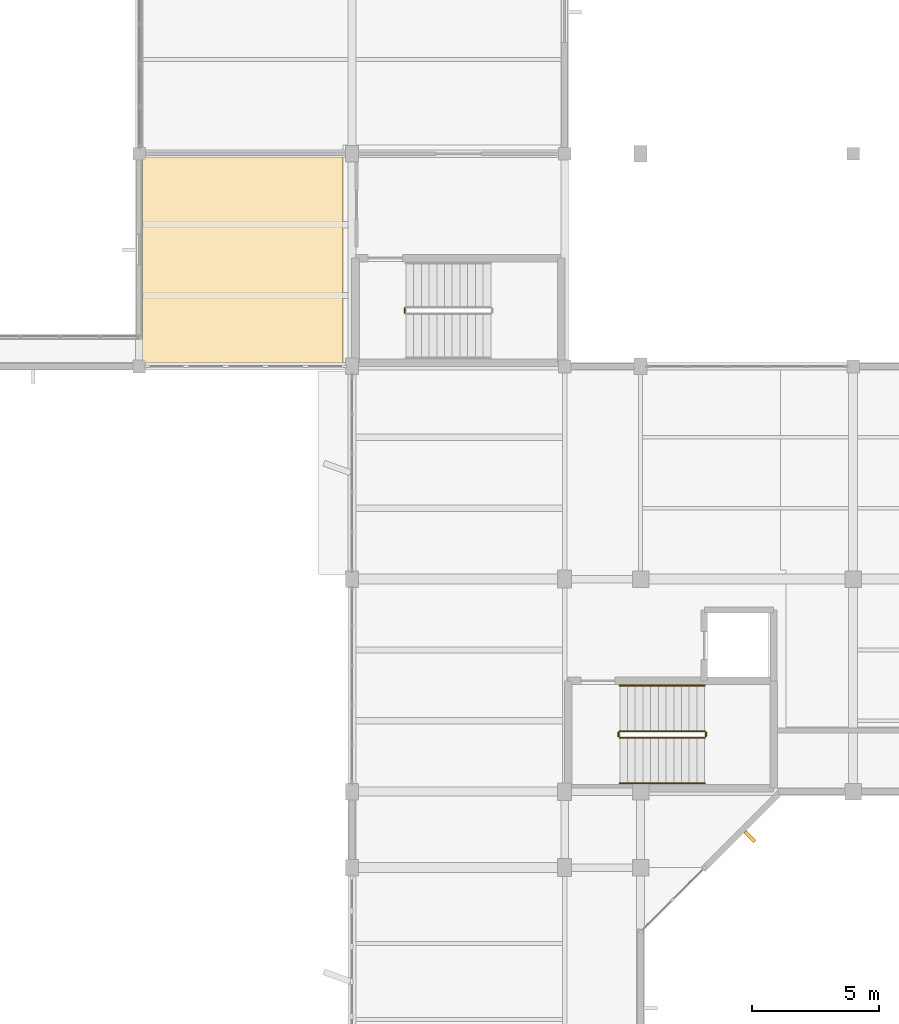
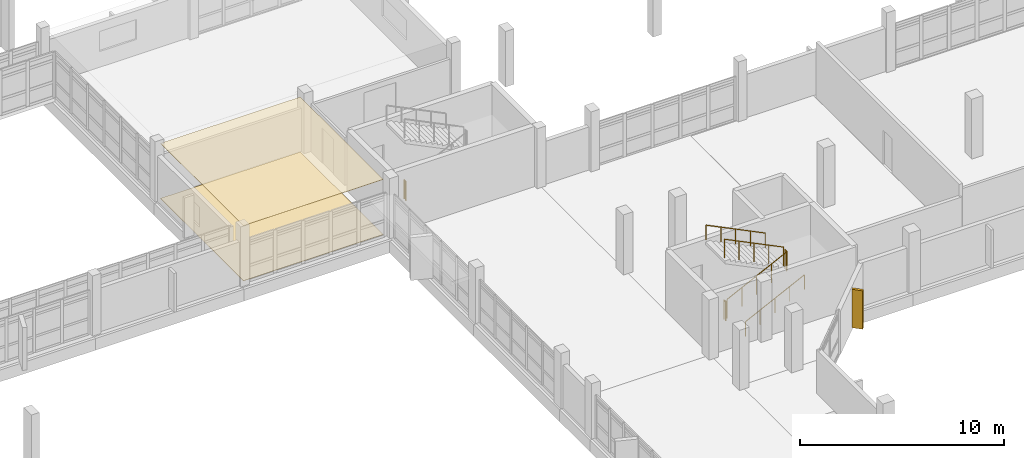
# One storey, part 92 of 104: 7 railings, 2 coverings, 1 shading device.
"""IFC4 building model written with IfcOpenShell, lengths in metres."""

from ifc_helpers import new_model, si_unit, direction, frame, origin, origin_2d, place, context, subcontext, project, spatial, polyline, rectangle, circle, outline, extrude, material, layer, layer_set, type_object, element, save


model = new_model("IFC4")

# Units and contexts
model_context = context("Model", 3, precision=1e-05, world=origin(), true_north=direction((0.0, 1.0)))
body_context = subcontext(model_context, "Body", "Model", "MODEL_VIEW")
ifc_project = project(units=[si_unit("LENGTHUNIT", "METRE"), si_unit("AREAUNIT", "SQUARE_METRE"), si_unit("VOLUMEUNIT", "CUBIC_METRE"), si_unit("PLANEANGLEUNIT", "RADIAN"), si_unit("MASSUNIT", "GRAM", prefix="KILO")], contexts=[model_context])

# Site, building, storey
site_placement = place(None, origin())
site = spatial("IfcSite", under=ifc_project, at=site_placement, CompositionType="ELEMENT")
building_placement = place(site_placement, origin())
building = spatial("IfcBuilding", under=site, at=building_placement, Name="Vanh Quang Courtyard School", CompositionType="ELEMENT")
storey_placement = place(building_placement, frame((0.0, 0.0, 4.199951171875)))
storey = spatial("IfcBuildingStorey", under=building, at=storey_placement, Name="L01", CompositionType="ELEMENT", Elevation=4.199951171875)

# Coverings
ifc_material_1 = material(Name="Perforated mineral-fibre acoustic ceiling board")
ifc_layer_1 = layer(ifc_material_1, 0.02490234375)
ifc_layer_set_1 = layer_set([ifc_layer_1], Name="Perforated mineral-fibre acoustic ceiling board")
covering_type_1 = type_object("IfcCoveringType", Name="COV-CEIL-ACOUSTIC", PredefinedType="CEILING", material=ifc_layer_set_1)
covering_1_placement = place(storey_placement, frame((0.0, 0.0, 3.295166015625)))
element("IfcCovering", 1, at=covering_1_placement, inside=storey, type_object=covering_type_1, Name="Covering CV-CL1 (L01)", PredefinedType="CEILING", context=body_context, shape_type="SweptSolid", body=[
    extrude(outline(polyline([(21.1298828125, 96.4599609375), (21.1298828125, 96.4609375), (21.130126953125, 96.4619140625), (21.13037109375, 96.462890625), (21.130859375, 96.4638671875), (21.131103515625, 96.464599609375), (21.131591796875, 96.465576171875), (21.13232421875, 96.46630859375), (21.1328125, 96.467041015625), (21.1337890625, 96.4677734375), (21.134521484375, 96.46826171875), (21.13525390625, 96.46875), (21.13623046875, 96.46923828125), (21.13720703125, 96.469482421875), (21.137939453125, 96.4697265625), (21.138916015625, 96.469970703125), (21.139892578125, 96.469970703125), (29.050048828125, 96.469970703125), (29.050048828125, 88.330078125), (21.139892578125, 88.330078125), (21.138916015625, 88.330078125), (21.137939453125, 88.330078125), (21.13720703125, 88.330322265625), (21.13623046875, 88.330810546875), (21.13525390625, 88.331298828125), (21.134521484375, 88.331787109375), (21.1337890625, 88.332275390625), (21.1328125, 88.3330078125), (21.13232421875, 88.333740234375), (21.131591796875, 88.33447265625), (21.131103515625, 88.335205078125), (21.130859375, 88.336181640625), (21.13037109375, 88.337158203125), (21.130126953125, 88.337890625), (21.1298828125, 88.339111328125), (21.1298828125, 88.340087890625), (21.1298828125, 96.4599609375)])), origin(), (0.0, 0.0, 1.0), 0.02490234375),
])
ifc_material_2 = material(Name="Polished cementitious terrazzo tile", Category="concrete")
ifc_layer_2 = layer(ifc_material_2, 0.02001953125)
ifc_layer_set_2 = layer_set([ifc_layer_2], Name="Polished cementitious terrazzo tile")
covering_type_2 = type_object("IfcCoveringType", Name="COV-FLR-TERRAZZO", PredefinedType="FLOORING", material=ifc_layer_set_2)
covering_2_placement = place(storey_placement, origin())
element("IfcCovering", 2, at=covering_2_placement, inside=storey, type_object=covering_type_2, Name="Covering CV-FL1 (L01)", PredefinedType="FLOORING", context=body_context, shape_type="SweptSolid", body=[
    extrude(outline(polyline([(21.1298828125, 96.4599609375), (21.1298828125, 96.4609375), (21.130126953125, 96.4619140625), (21.13037109375, 96.462890625), (21.130859375, 96.4638671875), (21.131103515625, 96.464599609375), (21.131591796875, 96.465576171875), (21.13232421875, 96.46630859375), (21.1328125, 96.467041015625), (21.1337890625, 96.4677734375), (21.134521484375, 96.46826171875), (21.13525390625, 96.46875), (21.13623046875, 96.46923828125), (21.13720703125, 96.469482421875), (21.137939453125, 96.4697265625), (21.138916015625, 96.469970703125), (21.139892578125, 96.469970703125), (29.050048828125, 96.469970703125), (29.050048828125, 88.330078125), (21.139892578125, 88.330078125), (21.138916015625, 88.330078125), (21.137939453125, 88.330078125), (21.13720703125, 88.330322265625), (21.13623046875, 88.330810546875), (21.13525390625, 88.331298828125), (21.134521484375, 88.331787109375), (21.1337890625, 88.332275390625), (21.1328125, 88.3330078125), (21.13232421875, 88.333740234375), (21.131591796875, 88.33447265625), (21.131103515625, 88.335205078125), (21.130859375, 88.336181640625), (21.13037109375, 88.337158203125), (21.130126953125, 88.337890625), (21.1298828125, 88.339111328125), (21.1298828125, 88.340087890625), (21.1298828125, 96.4599609375)])), origin(), (0.0, 0.0, 1.0), 0.02001953125),
])

# Railings
ifc_material_3 = material(Name="Galvanised painted steel EN 10025-2 S355J2", Category="steel")
railing_type_1 = type_object("IfcRailingType", Name="RAIL-GUARD-1150", PredefinedType="BALUSTRADE", material=ifc_material_3)
railing_1_placement = place(storey_placement, frame((39.97998046875, 73.530029296875, 0.150146484375)))
element("IfcRailing", 3, at=railing_1_placement, inside=storey, type_object=railing_type_1, Name="L01 ST-03 stair guard 1", PredefinedType="BALUSTRADE", context=body_context, shape_type="SweptSolid", body=[
    extrude(circle(Radius=0.02392578125, at=origin_2d()), frame((0.0, 0.0, 1.1259765625), z_axis=(0.897359292542, 0.0, 0.441300691239), x_axis=(0.0, 1.0, 0.0)), (0.0, 0.0, 1.0), 3.73876953125),
    extrude(circle(Radius=0.02099609375, at=origin_2d()), origin(), (0.0, 0.0, 1.0), 1.101806640625),
    extrude(circle(Radius=0.02099609375, at=origin_2d()), frame((0.8388671875, 0.0, 0.41259765625)), (0.0, 0.0, 1.0), 1.101806640625),
    extrude(circle(Radius=0.02099609375, at=origin_2d()), frame((1.677490234375, 0.0, 0.824951171875)), (0.0, 0.0, 1.0), 1.101806640625),
    extrude(circle(Radius=0.02099609375, at=origin_2d()), frame((2.51611328125, 0.0, 1.2373046875)), (0.0, 0.0, 1.0), 1.101806640625),
    extrude(circle(Radius=0.02099609375, at=origin_2d()), frame((3.35498046875, 0.0, 1.64990234375)), (0.0, 0.0, 1.0), 1.101806640625),
])
railing_2_placement = place(storey_placement, frame((43.385009765625, 73.580078125, 1.800048828125)))
element("IfcRailing", 4, at=railing_2_placement, inside=storey, type_object=railing_type_1, Name="L01 ST-03 stair guard 2", PredefinedType="BALUSTRADE", context=body_context, shape_type="SweptSolid", body=[
    extrude(circle(Radius=0.02392578125, at=origin_2d()), frame((0.0, 0.0, 1.1259765625), z_axis=(0.0, 1.0, 0.0), x_axis=(-1.0, 0.0, 0.0)), (0.0, 0.0, 1.0), 0.159912109375),
    extrude(circle(Radius=0.02099609375, at=origin_2d()), origin(), (0.0, 0.0, 1.0), 1.101806640625),
    extrude(circle(Radius=0.02099609375, at=origin_2d()), frame((0.0, 0.159912109375, 0.0)), (0.0, 0.0, 1.0), 1.101806640625),
])
railing_3_placement = place(storey_placement, frame((43.3349609375, 73.7900390625, 1.949951171875)))
element("IfcRailing", 5, at=railing_3_placement, inside=storey, type_object=railing_type_1, Name="L01 ST-03 stair guard 3", PredefinedType="BALUSTRADE", context=body_context, shape_type="SweptSolid", body=[
    extrude(circle(Radius=0.02392578125, at=origin_2d()), frame((0.0, 0.0, 1.1259765625), z_axis=(-0.89733343241, 0.0, 0.441353272424), x_axis=(0.0, -1.0, 0.0)), (0.0, 0.0, 1.0), 3.73876953125),
    extrude(circle(Radius=0.02099609375, at=origin_2d()), origin(), (0.0, 0.0, 1.0), 1.101806640625),
    extrude(circle(Radius=0.02099609375, at=origin_2d()), frame((-0.8388671875, 0.0, 0.41259765625)), (0.0, 0.0, 1.0), 1.101806640625),
    extrude(circle(Radius=0.02099609375, at=origin_2d()), frame((-1.677490234375, 0.0, 0.8251953125)), (0.0, 0.0, 1.0), 1.101806640625),
    extrude(circle(Radius=0.02099609375, at=origin_2d()), frame((-2.51611328125, 0.0, 1.237548828125)), (0.0, 0.0, 1.0), 1.101806640625),
    extrude(circle(Radius=0.02099609375, at=origin_2d()), frame((-3.35498046875, 0.0, 1.650146484375)), (0.0, 0.0, 1.0), 1.101806640625),
])
for number, where, name in (
    (6, (39.929931640625, 73.580078125, 0.0), "L01 ST-03 stair guard 4"),
    (7, (31.47998046875, 90.330078125, 0.0), "L01 ST-07 stair guard 4"),
):
    element("IfcRailing", number, at=place(storey_placement, frame(where)), inside=storey, type_object=railing_type_1, Name=name, PredefinedType="BALUSTRADE", context=body_context, shape_type="SweptSolid", body=[
        extrude(circle(Radius=0.02392578125, at=origin_2d()), frame((0.0, 0.0, 1.1259765625), z_axis=(0.0, 1.0, 0.0), x_axis=(-1.0, 0.0, 0.0)), (0.0, 0.0, 1.0), 0.159912109375),
        extrude(circle(Radius=0.02099609375, at=origin_2d()), origin(), (0.0, 0.0, 1.0), 1.101806640625),
        extrude(circle(Radius=0.02099609375, at=origin_2d()), frame((0.0, 0.159912109375, 0.0)), (0.0, 0.0, 1.0), 1.101806640625),
    ])
ifc_material_4 = material(Name="Brushed stainless steel", Category="steel")
railing_type_2 = type_object("IfcRailingType", Name="RAIL-HAND-900", PredefinedType="HANDRAIL", material=ifc_material_4)
railing_4_placement = place(storey_placement, frame((39.97998046875, 71.72998046875, 0.150146484375)))
element("IfcRailing", 8, at=railing_4_placement, inside=storey, type_object=railing_type_2, Name="L01 ST-03 stair handrail 1", PredefinedType="HANDRAIL", context=body_context, shape_type="SweptSolid", body=[
    extrude(circle(Radius=0.02392578125, at=origin_2d()), frame((0.0, 0.0, 0.8759765625), z_axis=(0.897359292542, 0.0, 0.441300691239), x_axis=(0.0, 1.0, 0.0)), (0.0, 0.0, 1.0), 3.73876953125),
    extrude(circle(Radius=0.02099609375, at=origin_2d()), origin(), (0.0, 0.0, 1.0), 0.851806640625),
    extrude(circle(Radius=0.02099609375, at=origin_2d()), frame((0.8388671875, 0.0, 0.41259765625)), (0.0, 0.0, 1.0), 0.851806640625),
    extrude(circle(Radius=0.02099609375, at=origin_2d()), frame((1.677490234375, 0.0, 0.824951171875)), (0.0, 0.0, 1.0), 0.851806640625),
    extrude(circle(Radius=0.02099609375, at=origin_2d()), frame((2.51611328125, 0.0, 1.2373046875)), (0.0, 0.0, 1.0), 0.851806640625),
    extrude(circle(Radius=0.02099609375, at=origin_2d()), frame((3.35498046875, 0.0, 1.64990234375)), (0.0, 0.0, 1.0), 0.851806640625),
])
railing_5_placement = place(storey_placement, frame((43.3349609375, 75.590087890625, 1.949951171875)))
element("IfcRailing", 9, at=railing_5_placement, inside=storey, type_object=railing_type_2, Name="L01 ST-03 stair handrail 2", PredefinedType="HANDRAIL", context=body_context, shape_type="SweptSolid", body=[
    extrude(circle(Radius=0.02392578125, at=origin_2d()), frame((0.0, 0.0, 0.8759765625), z_axis=(-0.89733343241, 0.0, 0.441353272424), x_axis=(0.0, -1.0, 0.0)), (0.0, 0.0, 1.0), 3.73876953125),
    extrude(circle(Radius=0.02099609375, at=origin_2d()), origin(), (0.0, 0.0, 1.0), 0.851806640625),
    extrude(circle(Radius=0.02099609375, at=origin_2d()), frame((-0.8388671875, 0.0, 0.41259765625)), (0.0, 0.0, 1.0), 0.851806640625),
    extrude(circle(Radius=0.02099609375, at=origin_2d()), frame((-1.677490234375, 0.0, 0.8251953125)), (0.0, 0.0, 1.0), 0.851806640625),
    extrude(circle(Radius=0.02099609375, at=origin_2d()), frame((-2.51611328125, 0.0, 1.237548828125)), (0.0, 0.0, 1.0), 0.851806640625),
    extrude(circle(Radius=0.02099609375, at=origin_2d()), frame((-3.35498046875, 0.0, 1.650146484375)), (0.0, 0.0, 1.0), 0.851806640625),
])

# Shading device
ifc_material_5 = material(Name="Board-marked precast concrete C40/50", Category="concrete")
shading_device_type = type_object("IfcShadingDeviceType", Name="SHD-FIN-CONCRETE", PredefinedType="USERDEFINED", material=ifc_material_5)
shading_device_placement = place(storey_placement, frame((45.123291015625, 69.62060546875, 0.14990234375), z_axis=(0.0, 0.0, 1.0), x_axis=(-0.707106781187, -0.707106781187, 0.0)))
element("IfcShadingDevice", 10, at=shading_device_placement, inside=storey, type_object=shading_device_type, Name="Solar Shading SH-02 (L01)", ObjectType="Solar Shading SH-02 (L01)", PredefinedType="USERDEFINED", context=body_context, shape_type="SweptSolid", body=[
    extrude(rectangle(XDim=0.139892578125, YDim=0.550048828125, at=origin_2d()), origin(), (0.0, 0.0, 1.0), 2.300048828125),
])

save(model, "model.ifc")
